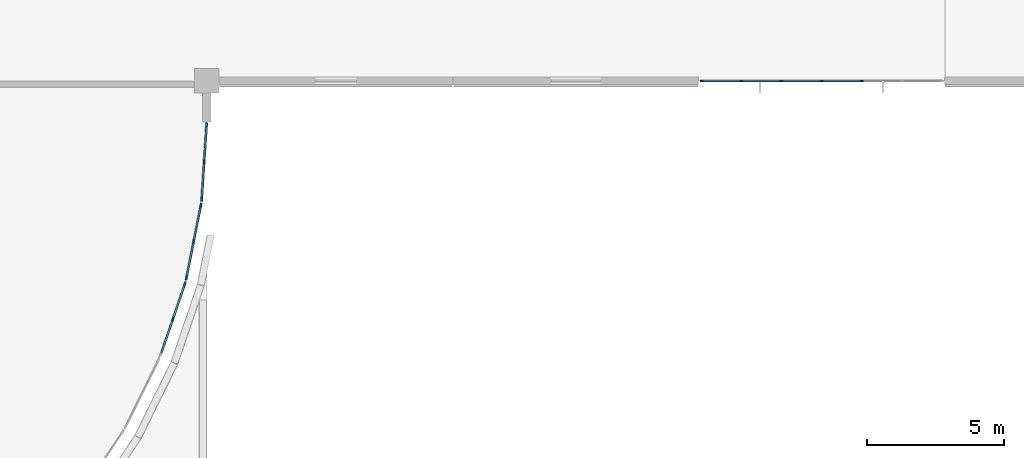
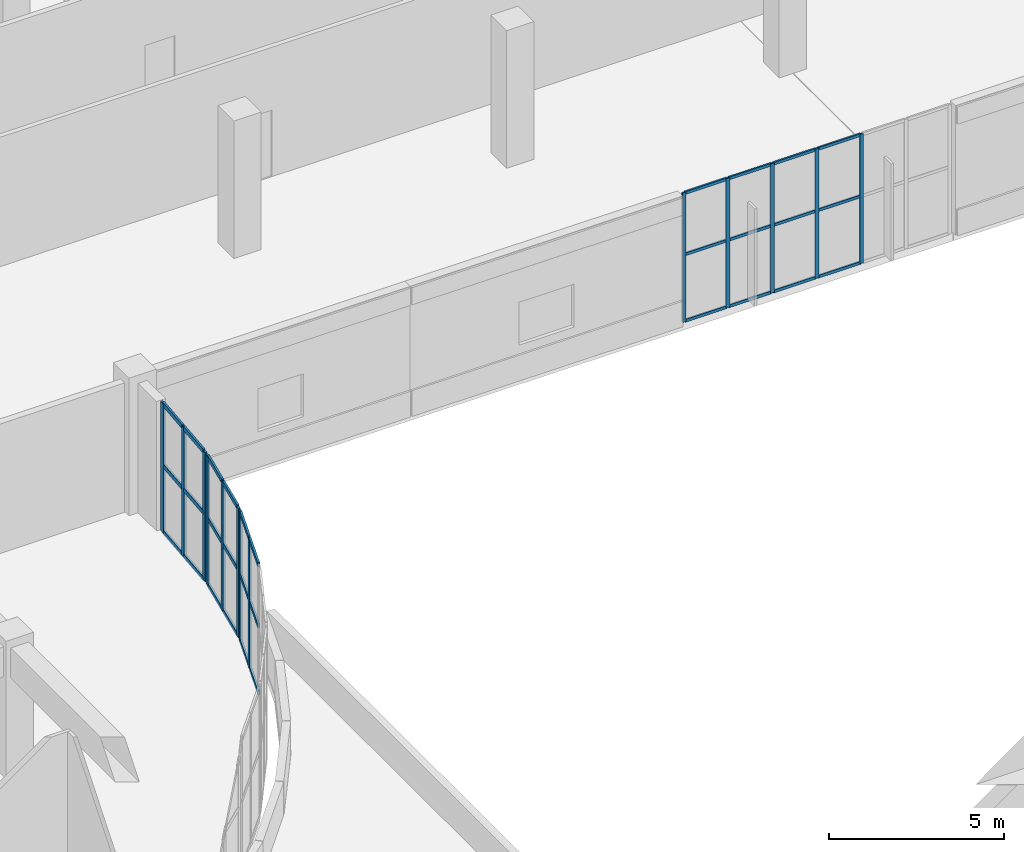
# One storey, part 29 of 96: 43 members, 4 elements without a shape of their own.
"""IFC4 building model written with IfcOpenShell, lengths in metres."""

from ifc_helpers import new_model, si_unit, direction, frame, origin, origin_2d, place, context, subcontext, project, spatial, rectangle, extrude, material, layer, layer_set, material_profile, profile_set, type_object, element, aggregate, save


model = new_model("IFC4")

# Units and contexts
model_context = context("Model", 3, precision=1e-05, world=origin(), true_north=direction((0.0, 1.0)))
body_context = subcontext(model_context, "Body", "Model", "MODEL_VIEW")
ifc_project = project(units=[si_unit("LENGTHUNIT", "METRE"), si_unit("AREAUNIT", "SQUARE_METRE"), si_unit("VOLUMEUNIT", "CUBIC_METRE"), si_unit("PLANEANGLEUNIT", "RADIAN"), si_unit("MASSUNIT", "GRAM", prefix="KILO")], contexts=[model_context])

# Site, building, storey
site_placement = place(None, origin())
site = spatial("IfcSite", under=ifc_project, at=site_placement, CompositionType="ELEMENT")
building_placement = place(site_placement, origin())
building = spatial("IfcBuilding", under=site, at=building_placement, Name="Cendralis Terraced Arcade", CompositionType="ELEMENT")
storey_placement = place(building_placement, frame((0.0, 0.0, 10.199951171875)))
storey = spatial("IfcBuildingStorey", under=building, at=storey_placement, Name="L02", CompositionType="ELEMENT", Elevation=10.199951171875)

# Curtain wall, members
ifc_material = material(Name="Anodised aluminium EN AW-6063 T6", Category="aluminium")
ifc_layer_1 = layer(ifc_material, 0.1201171875, Name="CW-STORE-B")
ifc_layer_set_1 = layer_set([ifc_layer_1], Name="Anodised aluminium EN AW-6063 T6")
curtain_wall_type_1 = type_object("IfcCurtainWallType", Name="CW-STORE-B", PredefinedType="USERDEFINED", material=ifc_layer_set_1)
curtain_wall_1_placement = place(storey_placement, origin())
curtain_wall_1 = element("IfcCurtainWall", 1, at=curtain_wall_1_placement, inside=storey, type_object=curtain_wall_type_1, Name="Exterior Storefront Glazing CW-L02-0115", ObjectType="STOREFRONT GLAZING", PredefinedType="USERDEFINED")
ifc_material_profile_1 = material_profile(ifc_material, rectangle(XDim=0.054931640625, YDim=0.1201171875, at=origin_2d()), Name="ALU-MUL-55x120")
ifc_profile_set_1 = profile_set([ifc_material_profile_1], Name="Anodised aluminium EN AW-6063 T6")
member_type_1 = type_object("IfcMemberType", Name="CW-STORE-B-MUL", PredefinedType="MULLION", material=ifc_profile_set_1)
member_1_placement = place(storey_placement, frame((91.169921875, 88.800048828125, 0.0), z_axis=(0.0, 0.0, 1.0), x_axis=(0.0, -1.0, 0.0)))
member_1 = element("IfcMember", 2, at=member_1_placement, type_object=member_type_1, Name="CW-S2 mullion 3", PredefinedType="MULLION", context=body_context, shape_type="SweptSolid", body=[
    extrude(rectangle(XDim=0.054931640625, YDim=0.1201171875, at=origin_2d()), origin(), (0.0, 0.0, 1.0), 4.51513671875),
])
member_2_placement = place(storey_placement, frame((89.699951171875, 88.800048828125, 0.0), z_axis=(0.0, 0.0, 1.0), x_axis=(0.0, -1.0, 0.0)))
member_2 = element("IfcMember", 3, at=member_2_placement, type_object=member_type_1, Name="CW-S2 mullion 4", PredefinedType="MULLION", context=body_context, shape_type="SweptSolid", body=[
    extrude(rectangle(XDim=0.054931640625, YDim=0.1201171875, at=origin_2d()), origin(), (0.0, 0.0, 1.0), 4.51513671875),
])
member_3_placement = place(storey_placement, frame((88.22998046875, 88.800048828125, 0.0), z_axis=(0.0, 0.0, 1.0), x_axis=(0.0, -1.0, 0.0)))
member_3 = element("IfcMember", 4, at=member_3_placement, type_object=member_type_1, Name="CW-S2 mullion 5", PredefinedType="MULLION", context=body_context, shape_type="SweptSolid", body=[
    extrude(rectangle(XDim=0.054931640625, YDim=0.1201171875, at=origin_2d()), origin(), (0.0, 0.0, 1.0), 4.51513671875),
])
member_4_placement = place(storey_placement, frame((86.760009765625, 88.800048828125, 0.0), z_axis=(0.0, 0.0, 1.0), x_axis=(0.0, -1.0, 0.0)))
member_4 = element("IfcMember", 5, at=member_4_placement, type_object=member_type_1, Name="CW-S2 mullion 6", PredefinedType="MULLION", context=body_context, shape_type="SweptSolid", body=[
    extrude(rectangle(XDim=0.054931640625, YDim=0.1201171875, at=origin_2d()), origin(), (0.0, 0.0, 1.0), 4.51513671875),
])
member_5_placement = place(storey_placement, frame((85.3173828125, 88.800048828125, 0.0), z_axis=(0.0, 0.0, 1.0), x_axis=(0.0, -1.0, 0.0)))
member_5 = element("IfcMember", 6, at=member_5_placement, type_object=member_type_1, Name="CW-S2 mullion 7", PredefinedType="MULLION", context=body_context, shape_type="SweptSolid", body=[
    extrude(rectangle(XDim=0.054931640625, YDim=0.1201171875, at=origin_2d()), origin(), (0.0, 0.0, 1.0), 4.51513671875),
])
ifc_material_profile_2 = material_profile(ifc_material, rectangle(XDim=0.054931640625, YDim=0.10009765625, at=origin_2d()), Name="ALU-TRN-55x100")
ifc_profile_set_2 = profile_set([ifc_material_profile_2], Name="Anodised aluminium EN AW-6063 T6")
member_type_2 = type_object("IfcMemberType", Name="CW-STORE-B-TRN", PredefinedType="USERDEFINED", material=ifc_profile_set_2)
member_6_placement = place(storey_placement, frame((91.142578125, 88.800048828125, 0.027587890625), z_axis=(-1.0, 0.0, 0.0), x_axis=(0.0, -1.0, 0.0)))
member_6 = element("IfcMember", 7, at=member_6_placement, type_object=member_type_2, Name="CW-S2 transom 3.1", ObjectType="TRANSOM", PredefinedType="USERDEFINED", context=body_context, shape_type="SweptSolid", body=[
    extrude(rectangle(XDim=0.054931640625, YDim=0.10009765625, at=origin_2d()), origin(), (0.0, 0.0, 1.0), 1.4150390625),
])
member_7_placement = place(storey_placement, frame((91.142578125, 88.800048828125, 2.347900390625), z_axis=(-1.0, 0.0, 0.0), x_axis=(0.0, -1.0, 0.0)))
member_7 = element("IfcMember", 8, at=member_7_placement, type_object=member_type_2, Name="CW-S2 transom 3.2", ObjectType="TRANSOM", PredefinedType="USERDEFINED", context=body_context, shape_type="SweptSolid", body=[
    extrude(rectangle(XDim=0.054931640625, YDim=0.10009765625, at=origin_2d()), origin(), (0.0, 0.0, 1.0), 1.4150390625),
])
member_8_placement = place(storey_placement, frame((91.142578125, 88.800048828125, 4.487548828125), z_axis=(-1.0, 0.0, 0.0), x_axis=(0.0, -1.0, 0.0)))
member_8 = element("IfcMember", 9, at=member_8_placement, type_object=member_type_2, Name="CW-S2 transom 3.3", ObjectType="TRANSOM", PredefinedType="USERDEFINED", context=body_context, shape_type="SweptSolid", body=[
    extrude(rectangle(XDim=0.054931640625, YDim=0.10009765625, at=origin_2d()), origin(), (0.0, 0.0, 1.0), 1.4150390625),
])
member_9_placement = place(storey_placement, frame((89.672607421875, 88.800048828125, 0.027587890625), z_axis=(-1.0, 0.0, 0.0), x_axis=(0.0, -1.0, 0.0)))
member_9 = element("IfcMember", 10, at=member_9_placement, type_object=member_type_2, Name="CW-S2 transom 4.1", ObjectType="TRANSOM", PredefinedType="USERDEFINED", context=body_context, shape_type="SweptSolid", body=[
    extrude(rectangle(XDim=0.054931640625, YDim=0.10009765625, at=origin_2d()), origin(), (0.0, 0.0, 1.0), 1.4150390625),
])
member_10_placement = place(storey_placement, frame((89.672607421875, 88.800048828125, 2.347900390625), z_axis=(-1.0, 0.0, 0.0), x_axis=(0.0, -1.0, 0.0)))
member_10 = element("IfcMember", 11, at=member_10_placement, type_object=member_type_2, Name="CW-S2 transom 4.2", ObjectType="TRANSOM", PredefinedType="USERDEFINED", context=body_context, shape_type="SweptSolid", body=[
    extrude(rectangle(XDim=0.054931640625, YDim=0.10009765625, at=origin_2d()), origin(), (0.0, 0.0, 1.0), 1.4150390625),
])
member_11_placement = place(storey_placement, frame((89.672607421875, 88.800048828125, 4.487548828125), z_axis=(-1.0, 0.0, 0.0), x_axis=(0.0, -1.0, 0.0)))
member_11 = element("IfcMember", 12, at=member_11_placement, type_object=member_type_2, Name="CW-S2 transom 4.3", ObjectType="TRANSOM", PredefinedType="USERDEFINED", context=body_context, shape_type="SweptSolid", body=[
    extrude(rectangle(XDim=0.054931640625, YDim=0.10009765625, at=origin_2d()), origin(), (0.0, 0.0, 1.0), 1.4150390625),
])
member_12_placement = place(storey_placement, frame((88.202392578125, 88.800048828125, 0.027587890625), z_axis=(-1.0, 0.0, 0.0), x_axis=(0.0, -1.0, 0.0)))
member_12 = element("IfcMember", 13, at=member_12_placement, type_object=member_type_2, Name="CW-S2 transom 5.1", ObjectType="TRANSOM", PredefinedType="USERDEFINED", context=body_context, shape_type="SweptSolid", body=[
    extrude(rectangle(XDim=0.054931640625, YDim=0.10009765625, at=origin_2d()), origin(), (0.0, 0.0, 1.0), 1.414794921875),
])
member_13_placement = place(storey_placement, frame((88.202392578125, 88.800048828125, 2.347900390625), z_axis=(-1.0, 0.0, 0.0), x_axis=(0.0, -1.0, 0.0)))
member_13 = element("IfcMember", 14, at=member_13_placement, type_object=member_type_2, Name="CW-S2 transom 5.2", ObjectType="TRANSOM", PredefinedType="USERDEFINED", context=body_context, shape_type="SweptSolid", body=[
    extrude(rectangle(XDim=0.054931640625, YDim=0.10009765625, at=origin_2d()), origin(), (0.0, 0.0, 1.0), 1.414794921875),
])
member_14_placement = place(storey_placement, frame((88.202392578125, 88.800048828125, 4.487548828125), z_axis=(-1.0, 0.0, 0.0), x_axis=(0.0, -1.0, 0.0)))
member_14 = element("IfcMember", 15, at=member_14_placement, type_object=member_type_2, Name="CW-S2 transom 5.3", ObjectType="TRANSOM", PredefinedType="USERDEFINED", context=body_context, shape_type="SweptSolid", body=[
    extrude(rectangle(XDim=0.054931640625, YDim=0.10009765625, at=origin_2d()), origin(), (0.0, 0.0, 1.0), 1.414794921875),
])
member_15_placement = place(storey_placement, frame((86.732421875, 88.800048828125, 0.027587890625), z_axis=(-1.0, 0.0, 0.0), x_axis=(0.0, -1.0, 0.0)))
member_15 = element("IfcMember", 16, at=member_15_placement, type_object=member_type_2, Name="CW-S2 transom 6.1", ObjectType="TRANSOM", PredefinedType="USERDEFINED", context=body_context, shape_type="SweptSolid", body=[
    extrude(rectangle(XDim=0.054931640625, YDim=0.10009765625, at=origin_2d()), origin(), (0.0, 0.0, 1.0), 1.387451171875),
])
member_16_placement = place(storey_placement, frame((86.732421875, 88.800048828125, 2.347900390625), z_axis=(-1.0, 0.0, 0.0), x_axis=(0.0, -1.0, 0.0)))
member_16 = element("IfcMember", 17, at=member_16_placement, type_object=member_type_2, Name="CW-S2 transom 6.2", ObjectType="TRANSOM", PredefinedType="USERDEFINED", context=body_context, shape_type="SweptSolid", body=[
    extrude(rectangle(XDim=0.054931640625, YDim=0.10009765625, at=origin_2d()), origin(), (0.0, 0.0, 1.0), 1.387451171875),
])
member_17_placement = place(storey_placement, frame((86.732421875, 88.800048828125, 4.487548828125), z_axis=(-1.0, 0.0, 0.0), x_axis=(0.0, -1.0, 0.0)))
member_17 = element("IfcMember", 18, at=member_17_placement, type_object=member_type_2, Name="CW-S2 transom 6.3", ObjectType="TRANSOM", PredefinedType="USERDEFINED", context=body_context, shape_type="SweptSolid", body=[
    extrude(rectangle(XDim=0.054931640625, YDim=0.10009765625, at=origin_2d()), origin(), (0.0, 0.0, 1.0), 1.387451171875),
])
aggregate(curtain_wall_1, [member_1, member_2, member_3, member_4, member_5, member_6, member_7, member_8, member_9, member_10, member_11, member_12, member_13, member_14, member_15, member_16, member_17])

ifc_layer_2 = layer(ifc_material, 0.179931640625, Name="CW-UNIT-A")
ifc_layer_set_2 = layer_set([ifc_layer_2], Name="Anodised aluminium EN AW-6063 T6")
curtain_wall_type_2 = type_object("IfcCurtainWallType", Name="CW-UNIT-A", PredefinedType="USERDEFINED", material=ifc_layer_set_2)
curtain_wall_2_placement = place(storey_placement, origin())
curtain_wall_2 = element("IfcCurtainWall", 19, at=curtain_wall_2_placement, inside=storey, type_object=curtain_wall_type_2, Name="Exterior Unitised Facade CW-L02-0116", ObjectType="UNITISED FACADE", PredefinedType="USERDEFINED")
ifc_material_profile_3 = material_profile(ifc_material, rectangle(XDim=0.06494140625, YDim=0.179931640625, at=origin_2d()), Name="ALU-MUL-65x180")
ifc_profile_set_3 = profile_set([ifc_material_profile_3], Name="Anodised aluminium EN AW-6063 T6")
member_type_3 = type_object("IfcMemberType", Name="CW-UNIT-A-MUL", PredefinedType="MULLION", material=ifc_profile_set_3)
member_18_placement = place(storey_placement, frame((67.19189453125, 87.177734375, 0.0), z_axis=(0.0, 0.0, 1.0), x_axis=(0.997859311421, -0.065397206439, 0.0)))
member_18 = element("IfcMember", 20, at=member_18_placement, type_object=member_type_3, Name="CW-U1 mullion 1", PredefinedType="MULLION", context=body_context, shape_type="SweptSolid", body=[
    extrude(rectangle(XDim=0.06494140625, YDim=0.179931640625, at=origin_2d()), origin(), (0.0, 0.0, 1.0), 4.51513671875),
])
member_19_placement = place(storey_placement, frame((67.103759765625, 85.83154296875, 0.0), z_axis=(0.0, 0.0, 1.0), x_axis=(0.997859311421, -0.065397206439, 0.0)))
member_19 = element("IfcMember", 21, at=member_19_placement, type_object=member_type_3, Name="CW-U1 mullion 2", PredefinedType="MULLION", context=body_context, shape_type="SweptSolid", body=[
    extrude(rectangle(XDim=0.06494140625, YDim=0.179931640625, at=origin_2d()), origin(), (0.0, 0.0, 1.0), 4.51513671875),
])
member_20_placement = place(storey_placement, frame((67.015625, 84.4853515625, 0.0), z_axis=(0.0, 0.0, 1.0), x_axis=(0.997859311421, -0.065397206439, 0.0)))
member_20 = element("IfcMember", 22, at=member_20_placement, type_object=member_type_3, Name="CW-U1 mullion 3", PredefinedType="MULLION", context=body_context, shape_type="SweptSolid", body=[
    extrude(rectangle(XDim=0.06494140625, YDim=0.179931640625, at=origin_2d()), origin(), (0.0, 0.0, 1.0), 4.51513671875),
])

curtain_wall_3_placement = place(storey_placement, origin())
curtain_wall_3 = element("IfcCurtainWall", 23, at=curtain_wall_3_placement, inside=storey, type_object=curtain_wall_type_2, Name="Exterior Unitised Facade CW-L02-0117", ObjectType="UNITISED FACADE", PredefinedType="USERDEFINED")
member_21_placement = place(storey_placement, frame((66.983642578125, 84.242919921875, 0.0), z_axis=(0.0, 0.0, 1.0), x_axis=(0.980788916906, -0.195072039192, 0.0)))
member_21 = element("IfcMember", 24, at=member_21_placement, type_object=member_type_3, Name="CW-U1 mullion 1", PredefinedType="MULLION", context=body_context, shape_type="SweptSolid", body=[
    extrude(rectangle(XDim=0.06494140625, YDim=0.179931640625, at=origin_2d()), origin(), (0.0, 0.0, 1.0), 4.51513671875),
])
member_22_placement = place(storey_placement, frame((66.720458984375, 82.919921875, 0.0), z_axis=(0.0, 0.0, 1.0), x_axis=(0.980788916906, -0.195072039192, 0.0)))
member_22 = element("IfcMember", 25, at=member_22_placement, type_object=member_type_3, Name="CW-U1 mullion 2", PredefinedType="MULLION", context=body_context, shape_type="SweptSolid", body=[
    extrude(rectangle(XDim=0.06494140625, YDim=0.179931640625, at=origin_2d()), origin(), (0.0, 0.0, 1.0), 4.51513671875),
])
member_23_placement = place(storey_placement, frame((66.457275390625, 81.5966796875, 0.0), z_axis=(0.0, 0.0, 1.0), x_axis=(0.980788916906, -0.195072039192, 0.0)))
member_23 = element("IfcMember", 26, at=member_23_placement, type_object=member_type_3, Name="CW-U1 mullion 3", PredefinedType="MULLION", context=body_context, shape_type="SweptSolid", body=[
    extrude(rectangle(XDim=0.06494140625, YDim=0.179931640625, at=origin_2d()), origin(), (0.0, 0.0, 1.0), 4.51513671875),
])

curtain_wall_4_placement = place(storey_placement, origin())
curtain_wall_4 = element("IfcCurtainWall", 27, at=curtain_wall_4_placement, inside=storey, type_object=curtain_wall_type_2, Name="Exterior Unitised Facade CW-L02-0118", ObjectType="UNITISED FACADE", PredefinedType="USERDEFINED")
member_24_placement = place(storey_placement, frame((66.39404296875, 81.360595703125, 0.0), z_axis=(0.0, 0.0, 1.0), x_axis=(0.94693189345, -0.321434268814, 0.0)))
member_24 = element("IfcMember", 28, at=member_24_placement, type_object=member_type_3, Name="CW-U1 mullion 1", PredefinedType="MULLION", context=body_context, shape_type="SweptSolid", body=[
    extrude(rectangle(XDim=0.06494140625, YDim=0.179931640625, at=origin_2d()), origin(), (0.0, 0.0, 1.0), 4.51513671875),
])
member_25_placement = place(storey_placement, frame((65.960205078125, 80.0830078125, 0.0), z_axis=(0.0, 0.0, 1.0), x_axis=(0.94693189345, -0.321434268814, 0.0)))
member_25 = element("IfcMember", 29, at=member_25_placement, type_object=member_type_3, Name="CW-U1 mullion 2", PredefinedType="MULLION", context=body_context, shape_type="SweptSolid", body=[
    extrude(rectangle(XDim=0.06494140625, YDim=0.179931640625, at=origin_2d()), origin(), (0.0, 0.0, 1.0), 4.51513671875),
])

# Member
ifc_material_profile_4 = material_profile(ifc_material, rectangle(XDim=0.06494140625, YDim=0.14990234375, at=origin_2d()), Name="ALU-TRN-65x150")
ifc_profile_set_4 = profile_set([ifc_material_profile_4], Name="Anodised aluminium EN AW-6063 T6")
member_type_4 = type_object("IfcMemberType", Name="CW-UNIT-A-TRN", PredefinedType="USERDEFINED", material=ifc_profile_set_4)
member_26_placement = place(storey_placement, frame((67.18994140625, 87.145263671875, 0.032470703125), z_axis=(-0.065408412816, -0.99785857692, 0.0), x_axis=(0.99785857692, -0.065408412816, 0.0)))
member_26 = element("IfcMember", 30, at=member_26_placement, type_object=member_type_4, Name="CW-U1 transom 1.1", ObjectType="TRANSOM", PredefinedType="USERDEFINED", context=body_context, shape_type="SweptSolid", body=[
    extrude(rectangle(XDim=0.06494140625, YDim=0.14990234375, at=origin_2d()), origin(), (0.0, 0.0, 1.0), 1.283935546875),
])

member_27_placement = place(storey_placement, frame((67.18994140625, 87.145263671875, 2.347900390625), z_axis=(-0.065408412816, -0.99785857692, 0.0), x_axis=(0.99785857692, -0.065408412816, 0.0)))
member_27 = element("IfcMember", 31, at=member_27_placement, type_object=member_type_4, Name="CW-U1 transom 1.2", ObjectType="TRANSOM", PredefinedType="USERDEFINED", context=body_context, shape_type="SweptSolid", body=[
    extrude(rectangle(XDim=0.06494140625, YDim=0.14990234375, at=origin_2d()), origin(), (0.0, 0.0, 1.0), 1.283935546875),
])

member_28_placement = place(storey_placement, frame((67.18994140625, 87.145263671875, 4.482666015625), z_axis=(-0.065408412816, -0.99785857692, 0.0), x_axis=(0.99785857692, -0.065408412816, 0.0)))
member_28 = element("IfcMember", 32, at=member_28_placement, type_object=member_type_4, Name="CW-U1 transom 1.3", ObjectType="TRANSOM", PredefinedType="USERDEFINED", context=body_context, shape_type="SweptSolid", body=[
    extrude(rectangle(XDim=0.06494140625, YDim=0.14990234375, at=origin_2d()), origin(), (0.0, 0.0, 1.0), 1.283935546875),
])

member_29_placement = place(storey_placement, frame((67.1015625, 85.799072265625, 0.032470703125), z_axis=(-0.065408412816, -0.99785857692, 0.0), x_axis=(0.99785857692, -0.065408412816, 0.0)))
member_29 = element("IfcMember", 33, at=member_29_placement, type_object=member_type_4, Name="CW-U1 transom 2.1", ObjectType="TRANSOM", PredefinedType="USERDEFINED", context=body_context, shape_type="SweptSolid", body=[
    extrude(rectangle(XDim=0.06494140625, YDim=0.14990234375, at=origin_2d()), origin(), (0.0, 0.0, 1.0), 1.283935546875),
])

member_30_placement = place(storey_placement, frame((67.1015625, 85.799072265625, 2.347900390625), z_axis=(-0.065408412816, -0.99785857692, 0.0), x_axis=(0.99785857692, -0.065408412816, 0.0)))
member_30 = element("IfcMember", 34, at=member_30_placement, type_object=member_type_4, Name="CW-U1 transom 2.2", ObjectType="TRANSOM", PredefinedType="USERDEFINED", context=body_context, shape_type="SweptSolid", body=[
    extrude(rectangle(XDim=0.06494140625, YDim=0.14990234375, at=origin_2d()), origin(), (0.0, 0.0, 1.0), 1.283935546875),
])

member_31_placement = place(storey_placement, frame((67.1015625, 85.799072265625, 4.482666015625), z_axis=(-0.065408412816, -0.99785857692, 0.0), x_axis=(0.99785857692, -0.065408412816, 0.0)))
member_31 = element("IfcMember", 35, at=member_31_placement, type_object=member_type_4, Name="CW-U1 transom 2.3", ObjectType="TRANSOM", PredefinedType="USERDEFINED", context=body_context, shape_type="SweptSolid", body=[
    extrude(rectangle(XDim=0.06494140625, YDim=0.14990234375, at=origin_2d()), origin(), (0.0, 0.0, 1.0), 1.283935546875),
])

aggregate(curtain_wall_2, [member_18, member_19, member_20, member_26, member_27, member_28, member_29, member_30, member_31])

member_32_placement = place(storey_placement, frame((66.977294921875, 84.211181640625, 0.032470703125), z_axis=(-0.195055775805, -0.980792151439, 0.0), x_axis=(0.980792151439, -0.195055775805, 0.0)))
member_32 = element("IfcMember", 36, at=member_32_placement, type_object=member_type_4, Name="CW-U1 transom 1.1", ObjectType="TRANSOM", PredefinedType="USERDEFINED", context=body_context, shape_type="SweptSolid", body=[
    extrude(rectangle(XDim=0.06494140625, YDim=0.14990234375, at=origin_2d()), origin(), (0.0, 0.0, 1.0), 1.2841796875),
])

member_33_placement = place(storey_placement, frame((66.977294921875, 84.211181640625, 2.347900390625), z_axis=(-0.195055775805, -0.980792151439, 0.0), x_axis=(0.980792151439, -0.195055775805, 0.0)))
member_33 = element("IfcMember", 37, at=member_33_placement, type_object=member_type_4, Name="CW-U1 transom 1.2", ObjectType="TRANSOM", PredefinedType="USERDEFINED", context=body_context, shape_type="SweptSolid", body=[
    extrude(rectangle(XDim=0.06494140625, YDim=0.14990234375, at=origin_2d()), origin(), (0.0, 0.0, 1.0), 1.2841796875),
])

member_34_placement = place(storey_placement, frame((66.977294921875, 84.211181640625, 4.482666015625), z_axis=(-0.195055775805, -0.980792151439, 0.0), x_axis=(0.980792151439, -0.195055775805, 0.0)))
member_34 = element("IfcMember", 38, at=member_34_placement, type_object=member_type_4, Name="CW-U1 transom 1.3", ObjectType="TRANSOM", PredefinedType="USERDEFINED", context=body_context, shape_type="SweptSolid", body=[
    extrude(rectangle(XDim=0.06494140625, YDim=0.14990234375, at=origin_2d()), origin(), (0.0, 0.0, 1.0), 1.2841796875),
])

member_35_placement = place(storey_placement, frame((66.714111328125, 82.887939453125, 0.032470703125), z_axis=(-0.195092152784, -0.980784916239, 0.0), x_axis=(0.980784916239, -0.195092152784, 0.0)))
member_35 = element("IfcMember", 39, at=member_35_placement, type_object=member_type_4, Name="CW-U1 transom 2.1", ObjectType="TRANSOM", PredefinedType="USERDEFINED", context=body_context, shape_type="SweptSolid", body=[
    extrude(rectangle(XDim=0.06494140625, YDim=0.14990234375, at=origin_2d()), origin(), (0.0, 0.0, 1.0), 1.283935546875),
])

member_36_placement = place(storey_placement, frame((66.714111328125, 82.887939453125, 2.347900390625), z_axis=(-0.195092152784, -0.980784916239, 0.0), x_axis=(0.980784916239, -0.195092152784, 0.0)))
member_36 = element("IfcMember", 40, at=member_36_placement, type_object=member_type_4, Name="CW-U1 transom 2.2", ObjectType="TRANSOM", PredefinedType="USERDEFINED", context=body_context, shape_type="SweptSolid", body=[
    extrude(rectangle(XDim=0.06494140625, YDim=0.14990234375, at=origin_2d()), origin(), (0.0, 0.0, 1.0), 1.283935546875),
])

member_37_placement = place(storey_placement, frame((66.714111328125, 82.887939453125, 4.482666015625), z_axis=(-0.195092152784, -0.980784916239, 0.0), x_axis=(0.980784916239, -0.195092152784, 0.0)))
member_37 = element("IfcMember", 41, at=member_37_placement, type_object=member_type_4, Name="CW-U1 transom 2.3", ObjectType="TRANSOM", PredefinedType="USERDEFINED", context=body_context, shape_type="SweptSolid", body=[
    extrude(rectangle(XDim=0.06494140625, YDim=0.14990234375, at=origin_2d()), origin(), (0.0, 0.0, 1.0), 1.283935546875),
])

aggregate(curtain_wall_3, [member_21, member_22, member_23, member_32, member_33, member_34, member_35, member_36, member_37])

member_38_placement = place(storey_placement, frame((66.383544921875, 81.329833984375, 0.032470703125), z_axis=(-0.321469865098, -0.946919809611, 0.0), x_axis=(0.946919809611, -0.321469865098, 0.0)))
member_38 = element("IfcMember", 42, at=member_38_placement, type_object=member_type_4, Name="CW-U1 transom 1.1", ObjectType="TRANSOM", PredefinedType="USERDEFINED", context=body_context, shape_type="SweptSolid", body=[
    extrude(rectangle(XDim=0.06494140625, YDim=0.14990234375, at=origin_2d()), origin(), (0.0, 0.0, 1.0), 1.2841796875),
])

member_39_placement = place(storey_placement, frame((66.383544921875, 81.329833984375, 2.347900390625), z_axis=(-0.321469865098, -0.946919809611, 0.0), x_axis=(0.946919809611, -0.321469865098, 0.0)))
member_39 = element("IfcMember", 43, at=member_39_placement, type_object=member_type_4, Name="CW-U1 transom 1.2", ObjectType="TRANSOM", PredefinedType="USERDEFINED", context=body_context, shape_type="SweptSolid", body=[
    extrude(rectangle(XDim=0.06494140625, YDim=0.14990234375, at=origin_2d()), origin(), (0.0, 0.0, 1.0), 1.2841796875),
])

member_40_placement = place(storey_placement, frame((66.383544921875, 81.329833984375, 4.482666015625), z_axis=(-0.321469865098, -0.946919809611, 0.0), x_axis=(0.946919809611, -0.321469865098, 0.0)))
member_40 = element("IfcMember", 44, at=member_40_placement, type_object=member_type_4, Name="CW-U1 transom 1.3", ObjectType="TRANSOM", PredefinedType="USERDEFINED", context=body_context, shape_type="SweptSolid", body=[
    extrude(rectangle(XDim=0.06494140625, YDim=0.14990234375, at=origin_2d()), origin(), (0.0, 0.0, 1.0), 1.2841796875),
])

member_41_placement = place(storey_placement, frame((65.949951171875, 80.05224609375, 0.032470703125), z_axis=(-0.32152774447, -0.946900158167, 0.0), x_axis=(0.946900158167, -0.32152774447, 0.0)))
member_41 = element("IfcMember", 45, at=member_41_placement, type_object=member_type_4, Name="CW-U1 transom 2.1", ObjectType="TRANSOM", PredefinedType="USERDEFINED", context=body_context, shape_type="SweptSolid", body=[
    extrude(rectangle(XDim=0.06494140625, YDim=0.14990234375, at=origin_2d()), origin(), (0.0, 0.0, 1.0), 1.283935546875),
])

member_42_placement = place(storey_placement, frame((65.949951171875, 80.05224609375, 2.347900390625), z_axis=(-0.32152774447, -0.946900158167, 0.0), x_axis=(0.946900158167, -0.32152774447, 0.0)))
member_42 = element("IfcMember", 46, at=member_42_placement, type_object=member_type_4, Name="CW-U1 transom 2.2", ObjectType="TRANSOM", PredefinedType="USERDEFINED", context=body_context, shape_type="SweptSolid", body=[
    extrude(rectangle(XDim=0.06494140625, YDim=0.14990234375, at=origin_2d()), origin(), (0.0, 0.0, 1.0), 1.283935546875),
])

member_43_placement = place(storey_placement, frame((65.949951171875, 80.05224609375, 4.482666015625), z_axis=(-0.32152774447, -0.946900158167, 0.0), x_axis=(0.946900158167, -0.32152774447, 0.0)))
member_43 = element("IfcMember", 47, at=member_43_placement, type_object=member_type_4, Name="CW-U1 transom 2.3", ObjectType="TRANSOM", PredefinedType="USERDEFINED", context=body_context, shape_type="SweptSolid", body=[
    extrude(rectangle(XDim=0.06494140625, YDim=0.14990234375, at=origin_2d()), origin(), (0.0, 0.0, 1.0), 1.283935546875),
])

aggregate(curtain_wall_4, [member_24, member_25, member_38, member_39, member_40, member_41, member_42, member_43])

save(model, "model.ifc")
